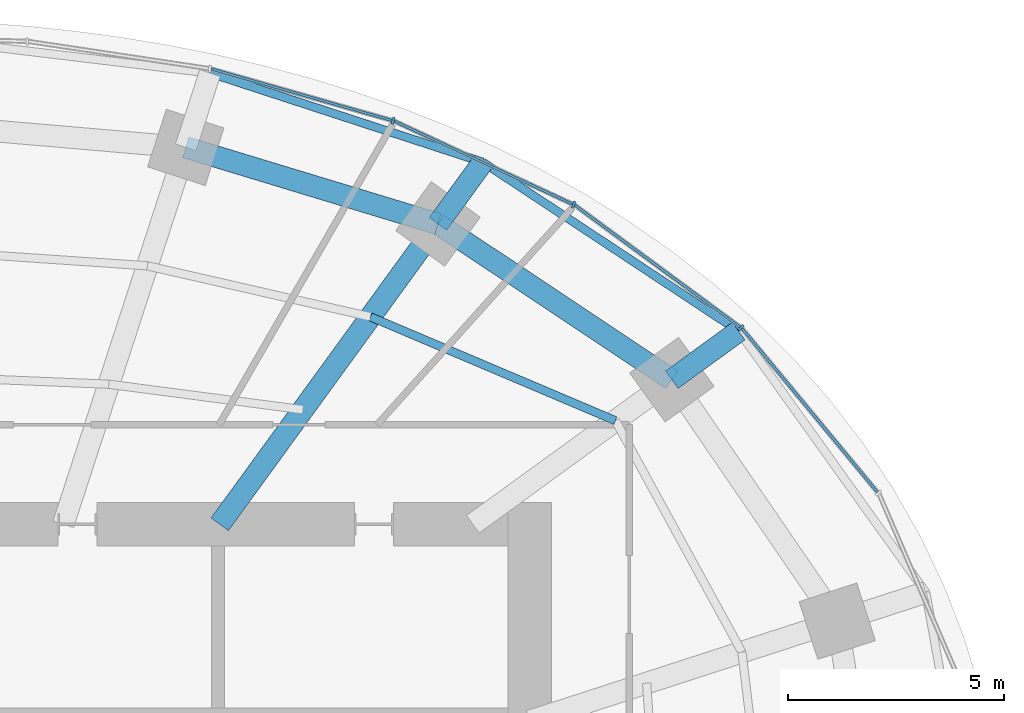
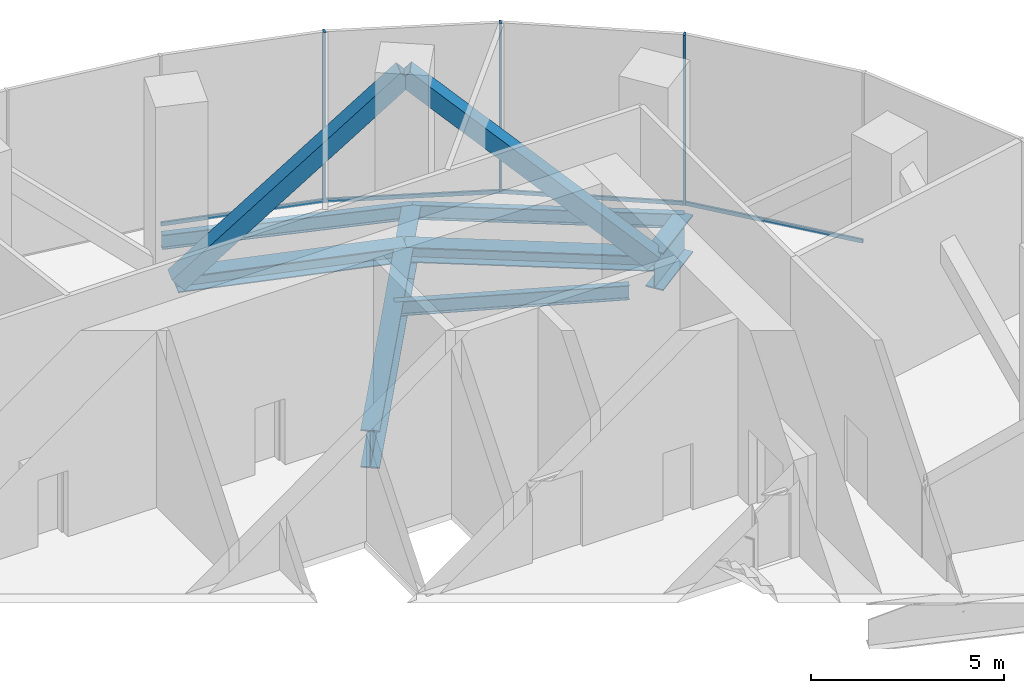
# One storey, part 8 of 13: 11 members, 6 beams, 2 elements without a shape of their own.
"""IFC4 building model written with IfcOpenShell, lengths in metres."""

from ifc_helpers import new_model, si_unit, direction, frame, origin, origin_2d, place, context, subcontext, project, spatial, rectangle, hollow_rectangle, i_section, extrude, material, material_profile, profile_set, type_object, element, aggregate, save


model = new_model("IFC4")

# Units and contexts
model_context = context("Model", 3, precision=1e-05, world=origin(), true_north=direction((0.0, 1.0)))
body_context = subcontext(model_context, "Body", "Model", "MODEL_VIEW")
ifc_project = project(units=[si_unit("LENGTHUNIT", "METRE"), si_unit("AREAUNIT", "SQUARE_METRE"), si_unit("VOLUMEUNIT", "CUBIC_METRE"), si_unit("PLANEANGLEUNIT", "RADIAN"), si_unit("MASSUNIT", "GRAM", prefix="KILO")], contexts=[model_context])

# Site, building, storey
site_placement = place(None, origin())
site = spatial("IfcSite", under=ifc_project, at=site_placement, CompositionType="ELEMENT")
building_placement = place(site_placement, origin())
building = spatial("IfcBuilding", under=site, at=building_placement, Name="Marramba Exchange Tower", CompositionType="ELEMENT")
storey_placement = place(building_placement, frame((0.0, 0.0, 246.199951171875)))
storey = spatial("IfcBuildingStorey", under=building, at=storey_placement, Name="L60", CompositionType="ELEMENT", Elevation=246.199951171875)

# Members
ifc_material_1 = material(Name="Steel AS/NZS 3679.2 grade 300", Category="steel")
ifc_material_profile_1 = material_profile(ifc_material_1, i_section(OverallWidth=0.5, OverallDepth=0.48388671875, WebThickness=0.02490234375, FlangeThickness=0.031982421875, at=origin_2d()), Name="500WC340")
ifc_profile_set_1 = profile_set([ifc_material_profile_1], Name="Steel AS/NZS 3679.2 grade 300")
member_type_1 = type_object("IfcMemberType", Name="Belt truss chord 500WC340", PredefinedType="CHORD", material=ifc_profile_set_1)
member_1_placement = place(storey_placement, frame((16.98583984375, 12.3408203125, -0.44189453125), z_axis=(-0.832293151443, 0.554335737673, 0.0), x_axis=(-0.554335737673, -0.832293151443, 0.0)))
element("IfcMember", 1, at=member_1_placement, inside=storey, type_object=member_type_1, Name="Belt chord L60 TC03-TC04", PredefinedType="CHORD", context=body_context, shape_type="SweptSolid", body=[
    extrude(i_section(OverallWidth=0.5, OverallDepth=0.48388671875, WebThickness=0.02490234375, FlangeThickness=0.031982421875, at=origin_2d()), origin(), (0.0, 0.0, 1.0), 6.49365234375),
])
member_2_placement = place(storey_placement, frame((11.581298828125, 15.9404296875, -0.44189453125), z_axis=(-0.956924542524, 0.290336735387, 0.0), x_axis=(-0.290336735387, -0.956924542524, 0.0)))
element("IfcMember", 2, at=member_2_placement, inside=storey, type_object=member_type_1, Name="Belt chord L60 TC04-TC05", PredefinedType="CHORD", context=body_context, shape_type="SweptSolid", body=[
    extrude(i_section(OverallWidth=0.5, OverallDepth=0.48388671875, WebThickness=0.02490234375, FlangeThickness=0.031982421875, at=origin_2d()), origin(), (0.0, 0.0, 1.0), 6.089599609375),
])
ifc_material_2 = material(Name="Steel AS/NZS 3678 grade 350", Category="steel")
ifc_material_profile_2 = material_profile(ifc_material_2, hollow_rectangle(XDim=0.5, YDim=0.5, WallThickness=0.031982421875, at=origin_2d()), Name="500x500x32BOX")
ifc_profile_set_2 = profile_set([ifc_material_profile_2], Name="Steel AS/NZS 3678 grade 350")
member_type_2 = type_object("IfcMemberType", Name="Belt truss diagonal 500x500x32BOX", PredefinedType="BRACE", material=ifc_profile_set_2)
member_3_placement = place(storey_placement, frame((16.98583984375, 12.3408203125, -0.44189453125), z_axis=(-0.630292951441, 0.419796687719, 0.653070850937), x_axis=(-0.554335737673, -0.832293151443, 0.0)))
element("IfcMember", 3, at=member_3_placement, inside=storey, type_object=member_type_2, Name="Belt truss BT60 diagonal 03", PredefinedType="BRACE", context=body_context, shape_type="SweptSolid", body=[
    extrude(hollow_rectangle(XDim=0.5, YDim=0.5, WallThickness=0.031982421875, at=origin_2d()), origin(), (0.0, 0.0, 1.0), 8.57470703125),
])
member_4_placement = place(storey_placement, frame((11.581298828125, 15.9404296875, 5.157958984375), z_axis=(-0.704384845581, 0.213714652968, -0.676881109518), x_axis=(-0.290336735387, -0.956924542524, 0.0)))
element("IfcMember", 4, at=member_4_placement, inside=storey, type_object=member_type_2, Name="Belt truss BT60 diagonal 04", PredefinedType="BRACE", context=body_context, shape_type="SweptSolid", body=[
    extrude(hollow_rectangle(XDim=0.5, YDim=0.5, WallThickness=0.031982421875, at=origin_2d()), origin(), (0.0, 0.0, 1.0), 8.27294921875),
])

# Beams
ifc_material_profile_3 = material_profile(ifc_material_1, i_section(OverallWidth=0.5, OverallDepth=1.199951171875, WebThickness=0.01611328125, FlangeThickness=0.0400390625, at=origin_2d()), Name="1200WB455")
ifc_profile_set_3 = profile_set([ifc_material_profile_3], Name="Steel AS/NZS 3679.2 grade 300")
beam_type_1 = type_object("IfcBeamType", Name="Cantilever girder 1200WB455", PredefinedType="BEAM", material=ifc_profile_set_3)
beam_1_placement = place(storey_placement, frame((16.98583984375, 12.3408203125, -0.800048828125), z_axis=(0.808962750283, 0.587859905636, 0.0), x_axis=(-0.587859905636, 0.808962750283, 0.0)))
element("IfcBeam", 5, at=beam_1_placement, inside=storey, type_object=beam_type_1, Name="Cantilever girder L60 TC03", PredefinedType="BEAM", context=body_context, shape_type="SweptSolid", body=[
    extrude(i_section(OverallWidth=0.5, OverallDepth=1.199951171875, WebThickness=0.01611328125, FlangeThickness=0.0400390625, at=origin_2d()), origin(), (0.0, 0.0, 1.0), 1.9091796875),
])
beam_2_placement = place(storey_placement, frame((11.581298828125, 15.9404296875, -0.800048828125), z_axis=(0.587817766387, 0.808993370504, 0.0), x_axis=(-0.808993370504, 0.587817766387, 0.0)))
element("IfcBeam", 6, at=beam_2_placement, inside=storey, type_object=beam_type_1, Name="Cantilever girder L60 TC04", PredefinedType="BEAM", context=body_context, shape_type="SweptSolid", body=[
    extrude(i_section(OverallWidth=0.5, OverallDepth=1.199951171875, WebThickness=0.01611328125, FlangeThickness=0.0400390625, at=origin_2d()), origin(), (0.0, 0.0, 1.0), 1.763916015625),
])
ifc_material_3 = material(Name="Steel AS/NZS 3679.1 grade 300", Category="steel")
ifc_material_profile_4 = material_profile(ifc_material_3, i_section(OverallWidth=0.19091796875, OverallDepth=0.4599609375, WebThickness=0.010009765625, FlangeThickness=0.01611328125, FilletRadius=0.011474609375, at=origin_2d()), Name="460UB82.1")
ifc_profile_set_4 = profile_set([ifc_material_profile_4], Name="Steel AS/NZS 3679.1 grade 300")
beam_type_2 = type_object("IfcBeamType", Name="Floor joist 460UB82.1", PredefinedType="JOIST", material=ifc_profile_set_4)
beam_3_placement = place(storey_placement, frame((15.682373046875, 11.393798828125, -0.429931640625), z_axis=(-0.920674336375, 0.390331610738, 0.0), x_axis=(-0.390331610738, -0.920674336375, 0.0)))
element("IfcBeam", 7, at=beam_3_placement, inside=storey, type_object=beam_type_2, Name="Joist L60 bay 03 row 2", PredefinedType="JOIST", context=body_context, shape_type="SweptSolid", body=[
    extrude(i_section(OverallWidth=0.19091796875, OverallDepth=0.4599609375, WebThickness=0.010009765625, FlangeThickness=0.01611328125, FilletRadius=0.011474609375, at=origin_2d()), origin(), (0.0, 0.0, 1.0), 6.1484375),
])

# Curtain wall, members
ifc_material_4 = material(Name="Aluminium framing, bronze anodised", Category="aluminium")
curtain_wall_type = type_object("IfcCurtainWallType", Name="Plant floor louvred curtain wall", PredefinedType="USERDEFINED", material=ifc_material_4)
curtain_wall_1_placement = place(storey_placement, origin())
curtain_wall_1 = element("IfcCurtainWall", 8, at=curtain_wall_1_placement, inside=storey, type_object=curtain_wall_type, Name="Curtain wall CW6 L60 F01-F05", ObjectType="RIBBON CURTAIN WALL", PredefinedType="USERDEFINED")
ifc_material_5 = material(Name="Aluminium mullion, bronze anodised", Category="aluminium")
ifc_material_profile_5 = material_profile(ifc_material_5, rectangle(XDim=0.159912109375, YDim=0.06005859375, at=origin_2d()), Name="CW6 mullion 60x160")
ifc_profile_set_5 = profile_set([ifc_material_profile_5], Name="Aluminium mullion, bronze anodised")
member_type_3 = type_object("IfcMemberType", Name="Plant floor louvred curtain wall mullion", PredefinedType="MULLION", material=ifc_profile_set_5)
member_5_placement = place(storey_placement, frame((18.587158203125, 13.53955078125, 0.0), z_axis=(0.0, 0.0, 1.0), x_axis=(-0.593441317494, -0.804877259395, 0.0)))
member_5 = element("IfcMember", 9, at=member_5_placement, type_object=member_type_3, Name="CW6 mullion 1", PredefinedType="MULLION", context=body_context, shape_type="SweptSolid", body=[
    extrude(rectangle(XDim=0.159912109375, YDim=0.06005859375, at=origin_2d()), origin(), (0.0, 0.0, 1.0), 5.400146484375),
])
member_6_placement = place(storey_placement, frame((14.7158203125, 16.386474609375, 0.0), z_axis=(0.0, 0.0, 1.0), x_axis=(-0.422133006189, -0.906533907301, 0.0)))
member_6 = element("IfcMember", 10, at=member_6_placement, type_object=member_type_3, Name="CW6 mullion 1", PredefinedType="MULLION", context=body_context, shape_type="SweptSolid", body=[
    extrude(rectangle(XDim=0.159912109375, YDim=0.06005859375, at=origin_2d()), origin(), (0.0, 0.0, 1.0), 5.400146484375),
])

# Curtain wall, member
curtain_wall_2_placement = place(storey_placement, origin())
curtain_wall_2 = element("IfcCurtainWall", 11, at=curtain_wall_2_placement, inside=storey, type_object=curtain_wall_type, Name="Curtain wall CW6 L60 F06-F10", ObjectType="RIBBON CURTAIN WALL", PredefinedType="USERDEFINED")
member_7_placement = place(storey_placement, frame((10.54541015625, 18.3232421875, 0.0), z_axis=(0.0, 0.0, 1.0), x_axis=(-0.274248164656, -0.961658954195, 0.0)))
member_7 = element("IfcMember", 12, at=member_7_placement, type_object=member_type_3, Name="CW6 mullion 1", PredefinedType="MULLION", context=body_context, shape_type="SweptSolid", body=[
    extrude(rectangle(XDim=0.159912109375, YDim=0.06005859375, at=origin_2d()), origin(), (0.0, 0.0, 1.0), 5.400146484375),
])

# Member
ifc_material_6 = material(Name="Aluminium transom, bronze anodised", Category="aluminium")
ifc_material_profile_6 = material_profile(ifc_material_6, rectangle(XDim=0.06005859375, YDim=0.1201171875, at=origin_2d()), Name="CW6 transom 60x120")
ifc_profile_set_6 = profile_set([ifc_material_profile_6], Name="Aluminium transom, bronze anodised")
member_type_4 = type_object("IfcMemberType", Name="Plant floor louvred curtain wall transom", PredefinedType="USERDEFINED", material=ifc_profile_set_6)
member_8_placement = place(storey_placement, frame((21.73779296875, 9.74169921875, 0.030029296875), z_axis=(-0.637375191043, 0.770553609973, 0.0), x_axis=(-0.770553609973, -0.637375191043, 0.0)))
member_8 = element("IfcMember", 13, at=member_8_placement, type_object=member_type_4, Name="CW6 sill transom", ObjectType="TRANSOM", PredefinedType="USERDEFINED", context=body_context, shape_type="SweptSolid", body=[
    extrude(rectangle(XDim=0.06005859375, YDim=0.1201171875, at=origin_2d()), origin(), (0.0, 0.0, 1.0), 4.905517578125),
])

member_9_placement = place(storey_placement, frame((18.56298828125, 13.557373046875, 0.030029296875), z_axis=(-0.804874780157, 0.593444680039, 0.0), x_axis=(-0.593444680039, -0.804874780157, 0.0)))
member_9 = element("IfcMember", 14, at=member_9_placement, type_object=member_type_4, Name="CW6 sill transom", ObjectType="TRANSOM", PredefinedType="USERDEFINED", context=body_context, shape_type="SweptSolid", body=[
    extrude(rectangle(XDim=0.06005859375, YDim=0.1201171875, at=origin_2d()), origin(), (0.0, 0.0, 1.0), 4.745849609375),
])

member_10_placement = place(storey_placement, frame((14.688720703125, 16.399169921875, 0.030029296875), z_axis=(-0.906548348139, 0.422101992989, 0.0), x_axis=(-0.422101992989, -0.906548348139, 0.0)))
member_10 = element("IfcMember", 15, at=member_10_placement, type_object=member_type_4, Name="CW6 sill transom", ObjectType="TRANSOM", PredefinedType="USERDEFINED", context=body_context, shape_type="SweptSolid", body=[
    extrude(rectangle(XDim=0.06005859375, YDim=0.1201171875, at=origin_2d()), origin(), (0.0, 0.0, 1.0), 4.53857421875),
])

aggregate(curtain_wall_1, [member_8, member_5, member_9, member_6, member_10])

member_11_placement = place(storey_placement, frame((10.5166015625, 18.33154296875, 0.030029296875), z_axis=(-0.961661807825, 0.274238158125, 0.0), x_axis=(-0.274238158125, -0.961661807825, 0.0)))
member_11 = element("IfcMember", 16, at=member_11_placement, type_object=member_type_4, Name="CW6 sill transom", ObjectType="TRANSOM", PredefinedType="USERDEFINED", context=body_context, shape_type="SweptSolid", body=[
    extrude(rectangle(XDim=0.06005859375, YDim=0.1201171875, at=origin_2d()), origin(), (0.0, 0.0, 1.0), 4.340087890625),
])

aggregate(curtain_wall_2, [member_7, member_11])

# Beams
ifc_material_profile_7 = material_profile(ifc_material_1, i_section(OverallWidth=0.5, OverallDepth=1.199951171875, WebThickness=0.01611328125, FlangeThickness=0.0400390625, at=origin_2d()), Name="1200WB455")
ifc_profile_set_7 = profile_set([ifc_material_profile_7], Name="Steel AS/NZS 3679.2 grade 300")
beam_type_3 = type_object("IfcBeamType", Name="Radial girder 1200WB455", PredefinedType="BEAM", material=ifc_profile_set_7)
beam_4_placement = place(storey_placement, frame((6.538818359375, 9.0, -0.800048828125), z_axis=(0.587782439969, 0.80901903764, 0.0), x_axis=(-0.80901903764, 0.587782439969, 0.0)))
element("IfcBeam", 17, at=beam_4_placement, inside=storey, type_object=beam_type_3, Name="Radial girder L60 TC04", PredefinedType="BEAM", context=body_context, shape_type="SweptSolid", body=[
    extrude(i_section(OverallWidth=0.5, OverallDepth=1.199951171875, WebThickness=0.01611328125, FlangeThickness=0.0400390625, at=origin_2d()), origin(), (0.0, 0.0, 1.0), 8.578857421875),
])
ifc_material_profile_8 = material_profile(ifc_material_3, i_section(OverallWidth=0.19091796875, OverallDepth=0.4599609375, WebThickness=0.010009765625, FlangeThickness=0.01611328125, FilletRadius=0.011474609375, at=origin_2d()), Name="460UB82.1")
ifc_profile_set_8 = profile_set([ifc_material_profile_8], Name="Steel AS/NZS 3679.1 grade 300")
beam_type_4 = type_object("IfcBeamType", Name="Slab edge beam 460UB82.1", PredefinedType="SPANDREL", material=ifc_profile_set_8)
beam_5_placement = place(storey_placement, frame((18.5302734375, 13.463134765625, -0.429931640625), z_axis=(-0.834459826117, 0.551068778463, 0.0), x_axis=(-0.551068778463, -0.834459826117, 0.0)))
element("IfcBeam", 18, at=beam_5_placement, inside=storey, type_object=beam_type_4, Name="Slab edge beam L60 TC03-TC04", PredefinedType="SPANDREL", context=body_context, shape_type="SweptSolid", body=[
    extrude(i_section(OverallWidth=0.19091796875, OverallDepth=0.4599609375, WebThickness=0.010009765625, FlangeThickness=0.01611328125, FilletRadius=0.011474609375, at=origin_2d()), origin(), (0.0, 0.0, 1.0), 7.0849609375),
])
beam_6_placement = place(storey_placement, frame((12.6181640625, 17.367431640625, -0.429931640625), z_axis=(-0.950608559101, 0.310392279809, 0.0), x_axis=(-0.310392279809, -0.950608559101, 0.0)))
element("IfcBeam", 19, at=beam_6_placement, inside=storey, type_object=beam_type_4, Name="Slab edge beam L60 TC04-TC05", PredefinedType="SPANDREL", context=body_context, shape_type="SweptSolid", body=[
    extrude(i_section(OverallWidth=0.19091796875, OverallDepth=0.4599609375, WebThickness=0.010009765625, FlangeThickness=0.01611328125, FilletRadius=0.011474609375, at=origin_2d()), origin(), (0.0, 0.0, 1.0), 6.6337890625),
])

save(model, "model.ifc")
